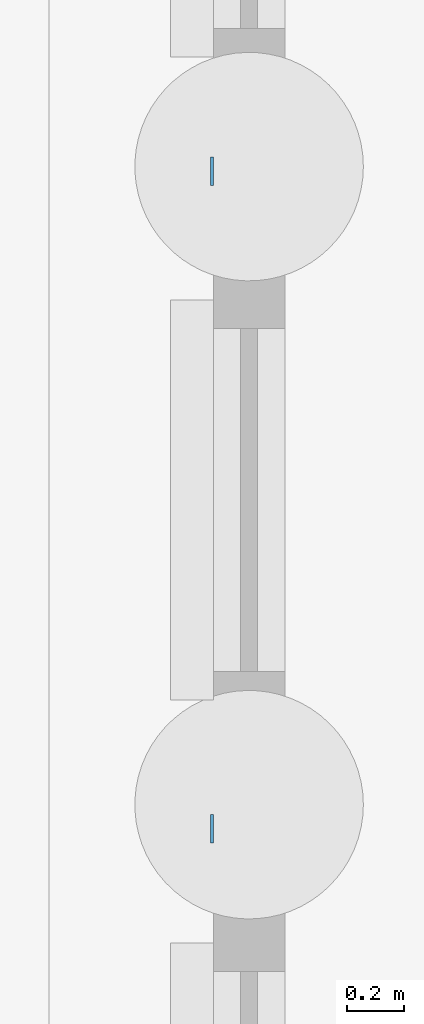
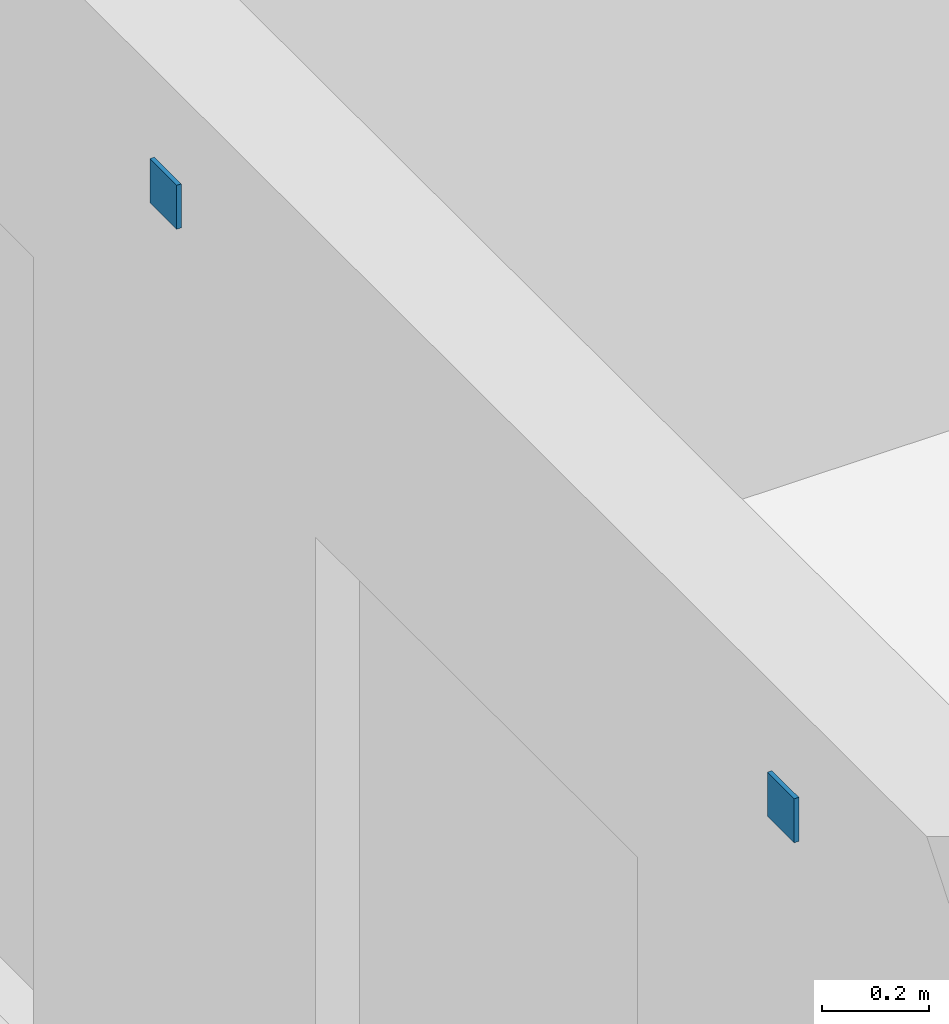
# One storey, part 33 of 37: 2 discrete accessories.
"""IFC4 building model written with IfcOpenShell, lengths in metres."""

from ifc_helpers import new_model, si_unit, direction, frame, origin, origin_2d, place, context, subcontext, project, spatial, rectangle, extrude, material, type_object, element, save


model = new_model("IFC4")

# Units and contexts
model_context = context("Model", 3, precision=1e-05, world=origin(), true_north=direction((0.0, 1.0)))
body_context = subcontext(model_context, "Body", "Model", "MODEL_VIEW")
ifc_project = project(units=[si_unit("LENGTHUNIT", "METRE"), si_unit("AREAUNIT", "SQUARE_METRE"), si_unit("VOLUMEUNIT", "CUBIC_METRE"), si_unit("PLANEANGLEUNIT", "RADIAN"), si_unit("MASSUNIT", "GRAM", prefix="KILO")], contexts=[model_context])

# Site, building, storey
site_placement = place(None, origin())
site = spatial("IfcSite", under=ifc_project, at=site_placement, CompositionType="ELEMENT")
building_placement = place(site_placement, origin())
building = spatial("IfcBuilding", under=site, at=building_placement, Name="Laocheng Heights Fire and Rescue Headquarters", CompositionType="ELEMENT")
storey_placement = place(building_placement, origin())
storey = spatial("IfcBuildingStorey", under=building, at=storey_placement, Name="L00", CompositionType="ELEMENT", Elevation=0.0)

# Discrete accessories
ifc_material = material(Name="Steel Q355B", Category="steel")
discrete_accessory_type = type_object("IfcDiscreteAccessoryType", Name="DRILL STEEL ANCHOR PLATE 100 x 100 x 10", PredefinedType="USERDEFINED", material=ifc_material)
for number, where, z_axis, x_axis, name in (
    (1, (113.8701171875, 30.39990234375, 3.0), (0.0, 0.0, 1.0), (1.0, 0.0, 0.0), "Anchor plate F1"),
    (2, (113.8701171875, 32.699951171875, 3.0), (0.0, 0.0, 1.0), (1.0, 0.0, 0.0), "Anchor plate F1"),
):
    element("IfcDiscreteAccessory", number, at=place(storey_placement, frame(where, z_axis=z_axis, x_axis=x_axis)), inside=storey, type_object=discrete_accessory_type, Name=name, ObjectType="ANCHOR PLATE", PredefinedType="USERDEFINED", context=body_context, shape_type="SweptSolid", body=[
        extrude(rectangle(XDim=0.010009765625, YDim=0.10009765625, at=origin_2d()), origin(), (0.0, 0.0, 1.0), 0.10009765625),
    ])

save(model, "model.ifc")
